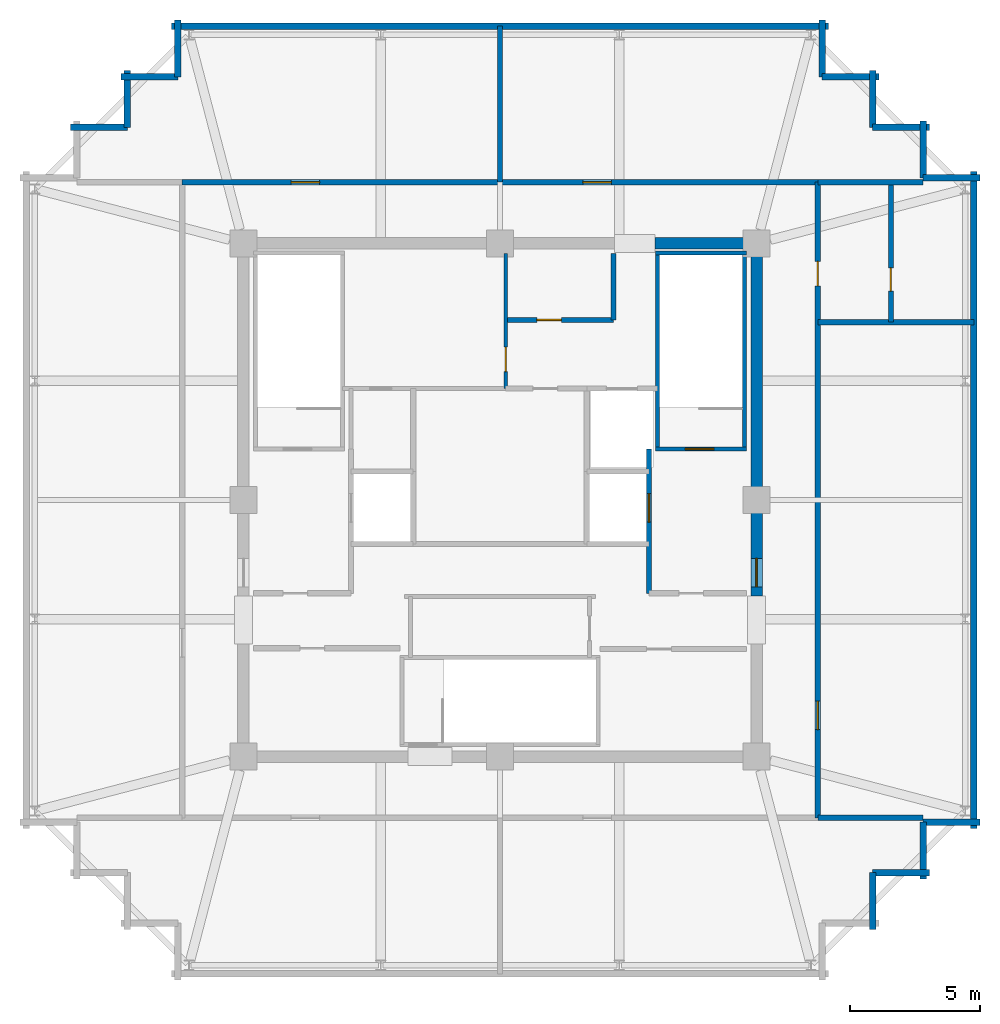
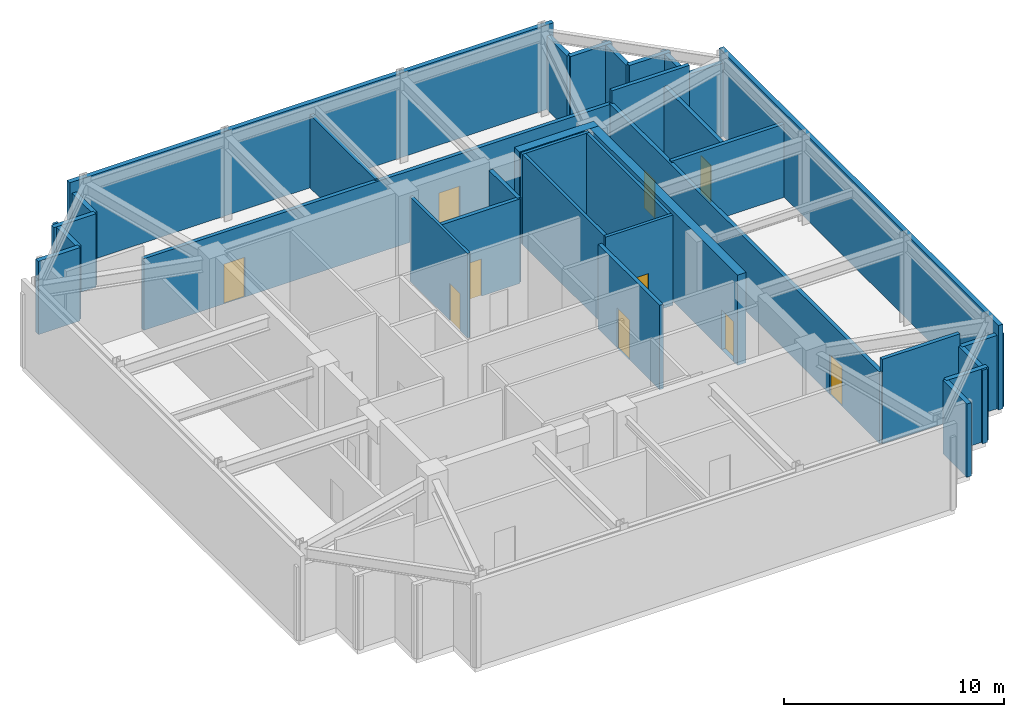
# One storey, part 3 of 4: 33 walls, 10 doors, 10 openings.
"""IFC4 building model written with IfcOpenShell, lengths in metres."""

from ifc_helpers import new_model, si_unit, direction, frame, frame_2d, origin, place, context, subcontext, project, spatial, rectangle, extrude, material, layer, layer_set, type_object, element, fill, save


model = new_model("IFC4")

# Units and contexts
model_context = context("Model", 3, precision=1e-05, world=origin(), true_north=direction((0.0, 1.0)))
body_context = subcontext(model_context, "Body", "Model", "MODEL_VIEW")
ifc_project = project(units=[si_unit("LENGTHUNIT", "METRE"), si_unit("AREAUNIT", "SQUARE_METRE"), si_unit("VOLUMEUNIT", "CUBIC_METRE"), si_unit("PLANEANGLEUNIT", "RADIAN"), si_unit("MASSUNIT", "GRAM", prefix="KILO")], contexts=[model_context])

# Site, building, storey
site_placement = place(None, origin())
site = spatial("IfcSite", under=ifc_project, at=site_placement, CompositionType="ELEMENT")
building_placement = place(site_placement, origin())
building = spatial("IfcBuilding", under=site, at=building_placement, Name="Kolvaren Belvedere", CompositionType="ELEMENT")
storey_placement = place(building_placement, frame((0.0, 0.0, 282.39990234375)))
storey = spatial("IfcBuildingStorey", under=building, at=storey_placement, Name="L80", CompositionType="ELEMENT", Elevation=282.39990234375)

# Wall
ifc_material_1 = material(Name="Concrete C50/60", Category="concrete")
ifc_layer_1 = layer(ifc_material_1, 0.449951171875)
ifc_layer_set_1 = layer_set([ifc_layer_1], Name="Concrete C50/60")
wall_type_1 = type_object("IfcWallType", Name="CW-CORE-450", PredefinedType="SHEAR", material=ifc_layer_set_1)
wall_1_placement = place(storey_placement, frame((5.97998046875, 9.89990234375, 0.0), z_axis=(0.0, 0.0, 1.0), x_axis=(1.0, 0.0, 0.0)))
element("IfcWall", 1, at=wall_1_placement, inside=storey, type_object=wall_type_1, Name="L80 North Core Shear Wall 2", PredefinedType="SHEAR", context=body_context, shape_type="SweptSolid", body=[
    extrude(rectangle(XDim=4.14501953125, YDim=0.449951171875, at=frame_2d((2.072509765625, 0.0))), origin(), (0.0, 0.0, 1.0), 5.0),
])

# Wall, opening, door
wall_2_placement = place(storey_placement, frame((9.89990234375, -3.699951171875, 0.0), z_axis=(0.0, 0.0, 1.0), x_axis=(0.0, 1.0, 0.0)))
wall_2 = element("IfcWall", 2, at=wall_2_placement, inside=storey, type_object=wall_type_1, Name="L80 East Core Shear Wall 2", PredefinedType="SHEAR", context=body_context, shape_type="SweptSolid", body=[
    extrude(rectangle(XDim=13.375, YDim=0.449951171875, at=frame_2d((6.6875, 0.0))), origin(), (0.0, 0.0, 1.0), 5.0),
])
opening_1_placement = place(wall_2_placement, frame((0.35009765625, 0.0, 0.0)))
opening_1 = element("IfcOpeningElement", 3, at=opening_1_placement, cuts=wall_2, Name="Opening D-FD90", PredefinedType="OPENING", context=body_context, shape_type="SweptSolid", body=[
    extrude(rectangle(XDim=1.10009765625, YDim=2.199951171875, at=frame_2d((0.550048828125, 1.10009765625))), frame((0.0, 0.23486328125, 0.0), z_axis=(0.0, -1.0, 0.0), x_axis=(1.0, 0.0, 0.0)), (0.0, 0.0, 1.0), 0.469970703125),
])
ifc_material_2 = material(Name="Painted hollow stainless steel", Category="steel")
door_type_1 = type_object("IfcDoorType", Name="DR-FD90-1100", OperationType="NOTDEFINED", PredefinedType="DOOR", material=ifc_material_2)
door_1_placement = place(opening_1_placement, origin())
door_1 = element("IfcDoor", 4, at=door_1_placement, inside=storey, type_object=door_type_1, Name="L80 East Firefighting Lobby Fire Door", OperationType="SINGLE_SWING_RIGHT", OverallHeight=2.199951171875, OverallWidth=1.10009765625, PredefinedType="DOOR", context=body_context, shape_type="SweptSolid", body=[
    extrude(rectangle(XDim=1.10009765625, YDim=2.199951171875, at=frame_2d((0.550048828125, 1.10009765625))), frame((0.0, 0.02490234375, 0.0), z_axis=(0.0, -1.0, 0.0), x_axis=(1.0, 0.0, 0.0)), (0.0, 0.0, 1.0), 0.050048828125),
])
fill(opening_1, door_1)

ifc_material_3 = material(Name="Concrete C50/60", Category="concrete")
ifc_layer_2 = layer(ifc_material_3, 0.159912109375)
ifc_layer_set_2 = layer_set([ifc_layer_2], Name="Concrete C50/60")
wall_type_2 = type_object("IfcWallType", Name="CW-STAIR-160", PredefinedType="SHEAR", material=ifc_layer_set_2)
wall_3_placement = place(storey_placement, frame((6.0, 1.969970703125, 0.0), z_axis=(0.0, 0.0, 1.0), x_axis=(1.0, 0.0, 0.0)))
wall_3 = element("IfcWall", 5, at=wall_3_placement, inside=storey, type_object=wall_type_2, Name="L80 Stair ST-2 South Shear Wall", PredefinedType="SHEAR", context=body_context, shape_type="SweptSolid", body=[
    extrude(rectangle(XDim=3.52001953125, YDim=0.159912109375, at=frame_2d((1.760009765625, 0.0))), origin(), (0.0, 0.0, 1.0), 5.0),
])
opening_2_placement = place(wall_3_placement, frame((1.14990234375, 0.0, 0.0)))
opening_2 = element("IfcOpeningElement", 6, at=opening_2_placement, cuts=wall_3, Name="Opening D-FD90", PredefinedType="OPENING", context=body_context, shape_type="SweptSolid", body=[
    extrude(rectangle(XDim=1.10009765625, YDim=2.199951171875, at=frame_2d((0.550048828125, 1.10009765625))), frame((0.0, 0.08984375, 0.0), z_axis=(0.0, -1.0, 0.0), x_axis=(1.0, 0.0, 0.0)), (0.0, 0.0, 1.0), 0.179931640625),
])
door_2_placement = place(opening_2_placement, origin())
door_2 = element("IfcDoor", 7, at=door_2_placement, inside=storey, type_object=door_type_1, Name="L80 Stair ST-2 Fire Door", OperationType="SINGLE_SWING_RIGHT", OverallHeight=2.199951171875, OverallWidth=1.10009765625, PredefinedType="DOOR", context=body_context, shape_type="SweptSolid", body=[
    extrude(rectangle(XDim=1.10009765625, YDim=2.199951171875, at=frame_2d((0.550048828125, 1.10009765625))), frame((0.0, 0.02490234375, 0.0), z_axis=(0.0, -1.0, 0.0), x_axis=(1.0, 0.0, 0.0)), (0.0, 0.0, 1.0), 0.050048828125),
])
fill(opening_2, door_2)

# Walls
wall_4_placement = place(storey_placement, frame((6.0, 9.530029296875, 0.0), z_axis=(0.0, 0.0, 1.0), x_axis=(1.0, 0.0, 0.0)))
element("IfcWall", 8, at=wall_4_placement, inside=storey, type_object=wall_type_2, Name="L80 Stair ST-2 North Shear Wall", PredefinedType="SHEAR", context=body_context, shape_type="SweptSolid", body=[
    extrude(rectangle(XDim=3.52001953125, YDim=0.159912109375, at=frame_2d((1.760009765625, 0.0))), origin(), (0.0, 0.0, 1.0), 5.0),
])
for number, where, z_axis, x_axis, name in (
    (9, (6.080078125, 1.969970703125, 0.0), (0.0, 0.0, 1.0), (0.0, 1.0, 0.0), "L80 Stair ST-2 West Shear Wall"),
    (10, (9.429931640625, 1.969970703125, 0.0), (0.0, 0.0, 1.0), (0.0, 1.0, 0.0), "L80 Stair ST-2 East Shear Wall"),
):
    element("IfcWall", number, at=place(storey_placement, frame(where, z_axis=z_axis, x_axis=x_axis)), inside=storey, type_object=wall_type_2, Name=name, PredefinedType="SHEAR", context=body_context, shape_type="SweptSolid", body=[
        extrude(rectangle(XDim=7.56005859375, YDim=0.159912109375, at=frame_2d((3.780029296875, 0.0))), origin(), (0.0, 0.0, 1.0), 5.0),
    ])
ifc_material_4 = material(Name="Insulated acoustic pale-metal louvre wall", Category="aluminium")
ifc_layer_3 = layer(ifc_material_4, 0.239990234375)
ifc_layer_set_3 = layer_set([ifc_layer_3], Name="Insulated acoustic pale-metal louvre wall")
wall_type_3 = type_object("IfcWallType", Name="WL-LOUV-240", PredefinedType="STANDARD", material=ifc_layer_set_3)
for number, where, z_axis, x_axis, name in (
    (11, (14.3798828125, -14.3798828125, 0.0), (0.0, 0.0, 1.0), (0.0, -1.0, 0.0), "L80 Acoustic Louvre Facade Wall 4"),
    (12, (16.570068359375, -14.3798828125, 0.0), (0.0, 0.0, 1.0), (-1.0, 0.0, 0.0), "L80 Acoustic Louvre Facade Wall 5"),
    (13, (16.330078125, -12.429931640625, 0.0), (0.0, 0.0, 1.0), (0.0, -1.0, 0.0), "L80 Acoustic Louvre Facade Wall 6"),
):
    element("IfcWall", number, at=place(storey_placement, frame(where, z_axis=z_axis, x_axis=x_axis)), inside=storey, type_object=wall_type_3, Name=name, PredefinedType="STANDARD", context=body_context, shape_type="SweptSolid", body=[
        extrude(rectangle(XDim=2.190185546875, YDim=0.239990234375, at=frame_2d((1.09521484375, 0.0))), origin(), (0.0, 0.0, 1.0), 4.06298828125),
    ])
wall_5_placement = place(storey_placement, frame((18.52001953125, -12.429931640625, 0.0), z_axis=(0.0, 0.0, 1.0), x_axis=(-1.0, 0.0, 0.0)))
element("IfcWall", 14, at=wall_5_placement, inside=storey, type_object=wall_type_3, Name="L80 Acoustic Louvre Facade Wall 7", PredefinedType="STANDARD", context=body_context, shape_type="SweptSolid", body=[
    extrude(rectangle(XDim=2.18994140625, YDim=0.239990234375, at=frame_2d((1.094970703125, 0.0))), origin(), (0.0, 0.0, 1.0), 4.06298828125),
])
wall_6_placement = place(storey_placement, frame((18.280029296875, 12.669921875, 0.0), z_axis=(0.0, 0.0, 1.0), x_axis=(0.0, -1.0, 0.0)))
element("IfcWall", 15, at=wall_6_placement, inside=storey, type_object=wall_type_3, Name="L80 Acoustic Louvre Facade Wall 8", PredefinedType="STANDARD", context=body_context, shape_type="SweptSolid", body=[
    extrude(rectangle(XDim=25.33984375, YDim=0.239990234375, at=frame_2d((12.669921875, 0.0))), origin(), (0.0, 0.0, 1.0), 4.68017578125),
])
wall_7_placement = place(storey_placement, frame((16.330078125, 12.429931640625, 0.0), z_axis=(0.0, 0.0, 1.0), x_axis=(1.0, 0.0, 0.0)))
element("IfcWall", 16, at=wall_7_placement, inside=storey, type_object=wall_type_3, Name="L80 Acoustic Louvre Facade Wall 9", PredefinedType="STANDARD", context=body_context, shape_type="SweptSolid", body=[
    extrude(rectangle(XDim=2.18994140625, YDim=0.239990234375, at=frame_2d((1.094970703125, 0.0))), origin(), (0.0, 0.0, 1.0), 4.06298828125),
])
for number, where, z_axis, x_axis, name in (
    (17, (16.330078125, 14.6201171875, 0.0), (0.0, 0.0, 1.0), (0.0, -1.0, 0.0), "L80 Acoustic Louvre Facade Wall 10"),
    (18, (14.3798828125, 14.3798828125, 0.0), (0.0, 0.0, 1.0), (1.0, 0.0, 0.0), "L80 Acoustic Louvre Facade Wall 11"),
    (19, (14.3798828125, 16.570068359375, 0.0), (0.0, 0.0, 1.0), (0.0, -1.0, 0.0), "L80 Acoustic Louvre Facade Wall 12"),
    (20, (12.429931640625, 16.330078125, 0.0), (0.0, 0.0, 1.0), (1.0, 0.0, 0.0), "L80 Acoustic Louvre Facade Wall 13"),
):
    element("IfcWall", number, at=place(storey_placement, frame(where, z_axis=z_axis, x_axis=x_axis)), inside=storey, type_object=wall_type_3, Name=name, PredefinedType="STANDARD", context=body_context, shape_type="SweptSolid", body=[
        extrude(rectangle(XDim=2.190185546875, YDim=0.239990234375, at=frame_2d((1.09521484375, 0.0))), origin(), (0.0, 0.0, 1.0), 4.06298828125),
    ])
wall_8_placement = place(storey_placement, frame((12.429931640625, 18.52001953125, 0.0), z_axis=(0.0, 0.0, 1.0), x_axis=(0.0, -1.0, 0.0)))
element("IfcWall", 21, at=wall_8_placement, inside=storey, type_object=wall_type_3, Name="L80 Acoustic Louvre Facade Wall 14", PredefinedType="STANDARD", context=body_context, shape_type="SweptSolid", body=[
    extrude(rectangle(XDim=2.18994140625, YDim=0.239990234375, at=frame_2d((1.094970703125, 0.0))), origin(), (0.0, 0.0, 1.0), 4.06298828125),
])
wall_9_placement = place(storey_placement, frame((-12.669921875, 18.280029296875, 0.0), z_axis=(0.0, 0.0, 1.0), x_axis=(1.0, 0.0, 0.0)))
element("IfcWall", 22, at=wall_9_placement, inside=storey, type_object=wall_type_3, Name="L80 Acoustic Louvre Facade Wall 15", PredefinedType="STANDARD", context=body_context, shape_type="SweptSolid", body=[
    extrude(rectangle(XDim=25.33984375, YDim=0.239990234375, at=frame_2d((12.669921875, 0.0))), origin(), (0.0, 0.0, 1.0), 4.68017578125),
])
wall_10_placement = place(storey_placement, frame((-12.429931640625, 16.330078125, 0.0), z_axis=(0.0, 0.0, 1.0), x_axis=(0.0, 1.0, 0.0)))
element("IfcWall", 23, at=wall_10_placement, inside=storey, type_object=wall_type_3, Name="L80 Acoustic Louvre Facade Wall 16", PredefinedType="STANDARD", context=body_context, shape_type="SweptSolid", body=[
    extrude(rectangle(XDim=2.18994140625, YDim=0.239990234375, at=frame_2d((1.094970703125, 0.0))), origin(), (0.0, 0.0, 1.0), 4.06298828125),
])
for number, where, z_axis, x_axis, name in (
    (24, (-14.6201171875, 16.330078125, 0.0), (0.0, 0.0, 1.0), (1.0, 0.0, 0.0), "L80 Acoustic Louvre Facade Wall 17"),
    (25, (-14.3798828125, 14.3798828125, 0.0), (0.0, 0.0, 1.0), (0.0, 1.0, 0.0), "L80 Acoustic Louvre Facade Wall 18"),
    (26, (-16.570068359375, 14.3798828125, 0.0), (0.0, 0.0, 1.0), (1.0, 0.0, 0.0), "L80 Acoustic Louvre Facade Wall 19"),
):
    element("IfcWall", number, at=place(storey_placement, frame(where, z_axis=z_axis, x_axis=x_axis)), inside=storey, type_object=wall_type_3, Name=name, PredefinedType="STANDARD", context=body_context, shape_type="SweptSolid", body=[
        extrude(rectangle(XDim=2.190185546875, YDim=0.239990234375, at=frame_2d((1.09521484375, 0.0))), origin(), (0.0, 0.0, 1.0), 4.06298828125),
    ])

# Wall, opening, door
ifc_material_5 = material(Name="Gypsum acoustic partition assembly", Category="gypsum")
ifc_layer_4 = layer(ifc_material_5, 0.14990234375)
ifc_layer_set_4 = layer_set([ifc_layer_4], Name="Gypsum acoustic partition assembly")
wall_type_4 = type_object("IfcWallType", Name="WL-PART-150", PredefinedType="PARTITIONING", material=ifc_layer_set_4)
wall_11_placement = place(storey_placement, frame((0.219970703125, 4.300048828125, 0.0), z_axis=(0.0, 0.0, 1.0), x_axis=(0.0, 1.0, 0.0)))
wall_11 = element("IfcWall", 27, at=wall_11_placement, inside=storey, type_object=wall_type_4, Name="L80 Reclaimed Salon East Wall", PredefinedType="PARTITIONING", context=body_context, shape_type="SweptSolid", body=[
    extrude(rectangle(XDim=5.219970703125, YDim=0.14990234375, at=frame_2d((2.60986328125, 0.0))), origin(), (0.0, 0.0, 1.0), 4.68017578125),
])
opening_3_placement = place(wall_11_placement, frame((0.64990234375, 0.0, 0.0)))
opening_3 = element("IfcOpeningElement", 28, at=opening_3_placement, cuts=wall_11, Name="Opening D-INT95", PredefinedType="OPENING", context=body_context, shape_type="SweptSolid", body=[
    extrude(rectangle(XDim=0.949951171875, YDim=2.06005859375, at=frame_2d((0.47509765625, 1.030029296875))), frame((0.0, 0.0849609375, 0.0), z_axis=(0.0, -1.0, 0.0), x_axis=(1.0, 0.0, 0.0)), (0.0, 0.0, 1.0), 0.169921875),
])
ifc_material_6 = material(Name="Stained Pacific white oak", Category="timber")
door_type_2 = type_object("IfcDoorType", Name="DR-INT-950", OperationType="NOTDEFINED", PredefinedType="DOOR", material=ifc_material_6)
door_3_placement = place(opening_3_placement, origin())
door_3 = element("IfcDoor", 29, at=door_3_placement, inside=storey, type_object=door_type_2, Name="L80 Telemetry & Controls Mechanical Plant Door", OperationType="SINGLE_SWING_LEFT", OverallHeight=2.06005859375, OverallWidth=0.949951171875, PredefinedType="DOOR", context=body_context, shape_type="SweptSolid", body=[
    extrude(rectangle(XDim=0.949951171875, YDim=2.06005859375, at=frame_2d((0.47509765625, 1.030029296875))), frame((0.0, 0.02490234375, 0.0), z_axis=(0.0, -1.0, 0.0), x_axis=(1.0, 0.0, 0.0)), (0.0, 0.0, 1.0), 0.050048828125),
])
fill(opening_3, door_3)

ifc_material_7 = material(Name="Concrete C50/60", Category="concrete")
ifc_layer_5 = layer(ifc_material_7, 0.199951171875)
ifc_layer_set_5 = layer_set([ifc_layer_5], Name="Concrete C50/60")
wall_type_5 = type_object("IfcWallType", Name="WL-SHAFT-200", PredefinedType="SOLIDWALL", material=ifc_layer_set_5)
wall_12_placement = place(storey_placement, frame((5.75, -3.60009765625, 0.0), z_axis=(0.0, 0.0, 1.0), x_axis=(0.0, 1.0, 0.0)))
wall_12 = element("IfcWall", 30, at=wall_12_placement, inside=storey, type_object=wall_type_5, Name="L80 FSAE FS2 Landing Wall", PredefinedType="SOLIDWALL", context=body_context, shape_type="SweptSolid", body=[
    extrude(rectangle(XDim=5.570068359375, YDim=0.199951171875, at=frame_2d((2.78515625, 0.0))), origin(), (0.0, 0.0, 1.0), 4.68017578125),
])
opening_4_placement = place(wall_12_placement, frame((2.75, 0.0, 0.0)))
opening_4 = element("IfcOpeningElement", 31, at=opening_4_placement, cuts=wall_12, Name="Opening LD-11", PredefinedType="OPENING", context=body_context, shape_type="SweptSolid", body=[
    extrude(rectangle(XDim=1.10009765625, YDim=2.199951171875, at=frame_2d((0.550048828125, 1.10009765625))), frame((0.0, 0.10986328125, 0.0), z_axis=(0.0, -1.0, 0.0), x_axis=(1.0, 0.0, 0.0)), (0.0, 0.0, 1.0), 0.219970703125),
])
ifc_material_8 = material(Name="Brushed stainless steel", Category="steel")
door_type_3 = type_object("IfcDoorType", Name="DR-LIFT-1100", OperationType="DOUBLE_DOOR_SLIDING", PredefinedType="DOOR", material=ifc_material_8)
door_4_placement = place(opening_4_placement, origin())
door_4 = element("IfcDoor", 32, at=door_4_placement, inside=storey, type_object=door_type_3, Name="L80 Firefighting Lift FS2 Landing Door", OperationType="DOUBLE_DOOR_SLIDING", OverallHeight=2.199951171875, OverallWidth=1.10009765625, PredefinedType="DOOR", context=body_context, shape_type="SweptSolid", body=[
    extrude(rectangle(XDim=1.10009765625, YDim=2.199951171875, at=frame_2d((0.550048828125, 1.10009765625))), frame((0.0, 0.02490234375, 0.0), z_axis=(0.0, -1.0, 0.0), x_axis=(1.0, 0.0, 0.0)), (0.0, 0.0, 1.0), 0.050048828125),
])
fill(opening_4, door_4)

wall_13_placement = place(storey_placement, frame((0.219970703125, 6.949951171875, 0.0), z_axis=(0.0, 0.0, 1.0), x_axis=(1.0, 0.0, 0.0)))
wall_13 = element("IfcWall", 33, at=wall_13_placement, inside=storey, type_object=wall_type_5, Name="L80 Shuttle Control Wall", PredefinedType="SOLIDWALL", context=body_context, shape_type="SweptSolid", body=[
    extrude(rectangle(XDim=4.159912109375, YDim=0.199951171875, at=frame_2d((2.080078125, 0.0))), origin(), (0.0, 0.0, 1.0), 4.68017578125),
])
opening_5_placement = place(wall_13_placement, frame((1.199951171875, 0.0, 0.0)))
opening_5 = element("IfcOpeningElement", 34, at=opening_5_placement, cuts=wall_13, Name="Opening D-FD60", PredefinedType="OPENING", context=body_context, shape_type="SweptSolid", body=[
    extrude(rectangle(XDim=0.949951171875, YDim=2.06005859375, at=frame_2d((0.47509765625, 1.030029296875))), frame((0.0, 0.10986328125, 0.0), z_axis=(0.0, -1.0, 0.0), x_axis=(1.0, 0.0, 0.0)), (0.0, 0.0, 1.0), 0.219970703125),
])
ifc_material_9 = material(Name="Acoustic white-oak fire door leaf", Category="timber")
door_type_4 = type_object("IfcDoorType", Name="DR-FD60-950", OperationType="NOTDEFINED", PredefinedType="DOOR", material=ifc_material_9)
door_5_placement = place(opening_5_placement, origin())
door_5 = element("IfcDoor", 35, at=door_5_placement, inside=storey, type_object=door_type_4, Name="L80 Shuttle Control Door", OperationType="SINGLE_SWING_LEFT", OverallHeight=2.06005859375, OverallWidth=0.949951171875, PredefinedType="DOOR", context=body_context, shape_type="SweptSolid", body=[
    extrude(rectangle(XDim=0.949951171875, YDim=2.06005859375, at=frame_2d((0.47509765625, 1.030029296875))), frame((0.0, 0.02490234375, 0.0), z_axis=(0.0, -1.0, 0.0), x_axis=(1.0, 0.0, 0.0)), (0.0, 0.0, 1.0), 0.050048828125),
])
fill(opening_5, door_5)

# Wall
wall_14_placement = place(storey_placement, frame((4.3798828125, 6.949951171875, 0.0), z_axis=(0.0, 0.0, 1.0), x_axis=(0.0, 1.0, 0.0)))
element("IfcWall", 36, at=wall_14_placement, inside=storey, type_object=wall_type_5, Name="L80 Shuttle Control East Wall", PredefinedType="SOLIDWALL", context=body_context, shape_type="SweptSolid", body=[
    extrude(rectangle(XDim=2.570068359375, YDim=0.199951171875, at=frame_2d((1.28515625, 0.0))), origin(), (0.0, 0.0, 1.0), 4.68017578125),
])

# Wall, openings, doors
wall_15_placement = place(storey_placement, frame((-12.260009765625, 12.260009765625, 0.0), z_axis=(0.0, 0.0, 1.0), x_axis=(1.0, 0.0, 0.0)))
wall_15 = element("IfcWall", 37, at=wall_15_placement, inside=storey, type_object=wall_type_5, Name="L80 North Corridor Wall", PredefinedType="SOLIDWALL", context=body_context, shape_type="SweptSolid", body=[
    extrude(rectangle(XDim=24.52001953125, YDim=0.199951171875, at=frame_2d((12.260009765625, 0.0))), origin(), (0.0, 0.0, 1.0), 3.968994140625),
])
opening_6_placement = place(wall_15_placement, frame((4.199951171875, 0.0, 0.0)))
opening_6 = element("IfcOpeningElement", 38, at=opening_6_placement, cuts=wall_15, Name="Opening D-FD90", PredefinedType="OPENING", context=body_context, shape_type="SweptSolid", body=[
    extrude(rectangle(XDim=1.10009765625, YDim=2.199951171875, at=frame_2d((0.550048828125, 1.10009765625))), frame((0.0, 0.10986328125, 0.0), z_axis=(0.0, -1.0, 0.0), x_axis=(1.0, 0.0, 0.0)), (0.0, 0.0, 1.0), 0.219970703125),
])
opening_7_placement = place(wall_15_placement, frame((15.4599609375, 0.0, 0.0)))
opening_7 = element("IfcOpeningElement", 39, at=opening_7_placement, cuts=wall_15, Name="Opening D-FD90", PredefinedType="OPENING", context=body_context, shape_type="SweptSolid", body=[
    extrude(rectangle(XDim=1.10009765625, YDim=2.199951171875, at=frame_2d((0.550048828125, 1.10009765625))), frame((0.0, 0.10986328125, 0.0), z_axis=(0.0, -1.0, 0.0), x_axis=(1.0, 0.0, 0.0)), (0.0, 0.0, 1.0), 0.219970703125),
])
door_6_placement = place(opening_6_placement, origin())
door_6 = element("IfcDoor", 40, at=door_6_placement, inside=storey, type_object=door_type_1, Name="L80 Roof Maintenance Harness Mechanical Plant Door", OperationType="SINGLE_SWING_RIGHT", OverallHeight=2.199951171875, OverallWidth=1.10009765625, PredefinedType="DOOR", context=body_context, shape_type="SweptSolid", body=[
    extrude(rectangle(XDim=1.10009765625, YDim=2.199951171875, at=frame_2d((0.550048828125, 1.10009765625))), frame((0.0, 0.02490234375, 0.0), z_axis=(0.0, -1.0, 0.0), x_axis=(1.0, 0.0, 0.0)), (0.0, 0.0, 1.0), 0.050048828125),
])
fill(opening_6, door_6)
door_7_placement = place(opening_7_placement, origin())
door_7 = element("IfcDoor", 41, at=door_7_placement, inside=storey, type_object=door_type_1, Name="L80 Auxiliary Controls Mechanical Plant Door", OperationType="SINGLE_SWING_LEFT", OverallHeight=2.199951171875, OverallWidth=1.10009765625, PredefinedType="DOOR", context=body_context, shape_type="SweptSolid", body=[
    extrude(rectangle(XDim=1.10009765625, YDim=2.199951171875, at=frame_2d((0.550048828125, 1.10009765625))), frame((0.0, 0.02490234375, 0.0), z_axis=(0.0, -1.0, 0.0), x_axis=(1.0, 0.0, 0.0)), (0.0, 0.0, 1.0), 0.050048828125),
])
fill(opening_7, door_7)

wall_16_placement = place(storey_placement, frame((12.260009765625, -12.260009765625, 0.0), z_axis=(0.0, 0.0, 1.0), x_axis=(0.0, 1.0, 0.0)))
wall_16 = element("IfcWall", 42, at=wall_16_placement, inside=storey, type_object=wall_type_5, Name="L80 East Corridor Wall", PredefinedType="SOLIDWALL", context=body_context, shape_type="SweptSolid", body=[
    extrude(rectangle(XDim=24.52001953125, YDim=0.199951171875, at=frame_2d((12.260009765625, 0.0))), origin(), (0.0, 0.0, 1.0), 3.968994140625),
])
opening_8_placement = place(wall_16_placement, frame((3.39990234375, 0.0, 0.0)))
opening_8 = element("IfcOpeningElement", 43, at=opening_8_placement, cuts=wall_16, Name="Opening D-FD90", PredefinedType="OPENING", context=body_context, shape_type="SweptSolid", body=[
    extrude(rectangle(XDim=1.10009765625, YDim=2.199951171875, at=frame_2d((0.550048828125, 1.10009765625))), frame((0.0, 0.10986328125, 0.0), z_axis=(0.0, -1.0, 0.0), x_axis=(1.0, 0.0, 0.0)), (0.0, 0.0, 1.0), 0.219970703125),
])
opening_9_placement = place(wall_16_placement, frame((20.52001953125, 0.0, 0.0)))
opening_9 = element("IfcOpeningElement", 44, at=opening_9_placement, cuts=wall_16, Name="Opening D-INT95", PredefinedType="OPENING", context=body_context, shape_type="SweptSolid", body=[
    extrude(rectangle(XDim=0.949951171875, YDim=2.06005859375, at=frame_2d((0.47509765625, 1.030029296875))), frame((0.0, 0.10986328125, 0.0), z_axis=(0.0, -1.0, 0.0), x_axis=(1.0, 0.0, 0.0)), (0.0, 0.0, 1.0), 0.219970703125),
])
door_8_placement = place(opening_8_placement, origin())
door_8 = element("IfcDoor", 45, at=door_8_placement, inside=storey, type_object=door_type_1, Name="L80 Solar-Thermal Rainwater Mechanical Plant Door", OperationType="SINGLE_SWING_RIGHT", OverallHeight=2.199951171875, OverallWidth=1.10009765625, PredefinedType="DOOR", context=body_context, shape_type="SweptSolid", body=[
    extrude(rectangle(XDim=1.10009765625, YDim=2.199951171875, at=frame_2d((0.550048828125, 1.10009765625))), frame((0.0, 0.02490234375, 0.0), z_axis=(0.0, -1.0, 0.0), x_axis=(1.0, 0.0, 0.0)), (0.0, 0.0, 1.0), 0.050048828125),
])
fill(opening_8, door_8)
door_9_placement = place(opening_9_placement, origin())
door_9 = element("IfcDoor", 46, at=door_9_placement, inside=storey, type_object=door_type_2, Name="L80 Staff Accessible Washroom Door", OperationType="SINGLE_SWING_LEFT", OverallHeight=2.06005859375, OverallWidth=0.949951171875, PredefinedType="DOOR", context=body_context, shape_type="SweptSolid", body=[
    extrude(rectangle(XDim=0.949951171875, YDim=2.06005859375, at=frame_2d((0.47509765625, 1.030029296875))), frame((0.0, 0.02490234375, 0.0), z_axis=(0.0, -1.0, 0.0), x_axis=(1.0, 0.0, 0.0)), (0.0, 0.0, 1.0), 0.050048828125),
])
fill(opening_9, door_9)

# Walls
for number, where, z_axis, x_axis, name in (
    (47, (12.260009765625, -12.260009765625, 0.0), (0.0, 0.0, 1.0), (1.0, 0.0, 0.0), "L80 Sector Wall PW-L80-QSE"),
    (48, (12.260009765625, 12.260009765625, 0.0), (0.0, 0.0, 1.0), (1.0, 0.0, 0.0), "L80 Sector Wall PW-L80-QNE"),
):
    element("IfcWall", number, at=place(storey_placement, frame(where, z_axis=z_axis, x_axis=x_axis)), inside=storey, type_object=wall_type_5, Name=name, PredefinedType="SOLIDWALL", context=body_context, shape_type="SweptSolid", body=[
        extrude(rectangle(XDim=4.06005859375, YDim=0.199951171875, at=frame_2d((2.030029296875, 0.0))), origin(), (0.0, 0.0, 1.0), 4.68017578125),
    ])
wall_17_placement = place(storey_placement, frame((12.260009765625, 6.860107421875, 0.0), z_axis=(0.0, 0.0, 1.0), x_axis=(1.0, 0.0, 0.0)))
element("IfcWall", 49, at=wall_17_placement, inside=storey, type_object=wall_type_5, Name="L80 East Plant WC Wall", PredefinedType="SOLIDWALL", context=body_context, shape_type="SweptSolid", body=[
    extrude(rectangle(XDim=6.02001953125, YDim=0.199951171875, at=frame_2d((3.010009765625, 0.0))), origin(), (0.0, 0.0, 1.0), 4.052978515625),
])

# Wall, opening, door
wall_18_placement = place(storey_placement, frame((15.080078125, 6.860107421875, 0.0), z_axis=(0.0, 0.0, 1.0), x_axis=(0.0, 1.0, 0.0)))
wall_18 = element("IfcWall", 50, at=wall_18_placement, inside=storey, type_object=wall_type_5, Name="L80 Staff WC Back Wall", PredefinedType="SOLIDWALL", context=body_context, shape_type="SweptSolid", body=[
    extrude(rectangle(XDim=5.39990234375, YDim=0.199951171875, at=frame_2d((2.699951171875, 0.0))), origin(), (0.0, 0.0, 1.0), 3.968994140625),
])
opening_10_placement = place(wall_18_placement, frame((1.199951171875, 0.0, 0.0)))
opening_10 = element("IfcOpeningElement", 51, at=opening_10_placement, cuts=wall_18, Name="Opening D-INT90", PredefinedType="OPENING", context=body_context, shape_type="SweptSolid", body=[
    extrude(rectangle(XDim=0.89990234375, YDim=2.06005859375, at=frame_2d((0.449951171875, 1.030029296875))), frame((0.0, 0.10986328125, 0.0), z_axis=(0.0, -1.0, 0.0), x_axis=(1.0, 0.0, 0.0)), (0.0, 0.0, 1.0), 0.219970703125),
])
ifc_material_10 = material(Name="Stained Pacific white oak", Category="timber")
door_type_5 = type_object("IfcDoorType", Name="DR-INT-900", OperationType="NOTDEFINED", PredefinedType="DOOR", material=ifc_material_10)
door_10_placement = place(opening_10_placement, origin())
door_10 = element("IfcDoor", 52, at=door_10_placement, inside=storey, type_object=door_type_5, Name="L80 Chilled-Water Expansion Mechanical Plant Door", OperationType="SINGLE_SWING_RIGHT", OverallHeight=2.06005859375, OverallWidth=0.89990234375, PredefinedType="DOOR", context=body_context, shape_type="SweptSolid", body=[
    extrude(rectangle(XDim=0.89990234375, YDim=2.06005859375, at=frame_2d((0.449951171875, 1.030029296875))), frame((0.0, 0.02490234375, 0.0), z_axis=(0.0, -1.0, 0.0), x_axis=(1.0, 0.0, 0.0)), (0.0, 0.0, 1.0), 0.050048828125),
])
fill(opening_10, door_10)

# Wall
wall_19_placement = place(storey_placement, frame((0.0, 12.260009765625, 0.0), z_axis=(0.0, 0.0, 1.0), x_axis=(0.0, 1.0, 0.0)))
element("IfcWall", 53, at=wall_19_placement, inside=storey, type_object=wall_type_5, Name="L80 North Plant Divider", PredefinedType="SOLIDWALL", context=body_context, shape_type="SweptSolid", body=[
    extrude(rectangle(XDim=6.02001953125, YDim=0.199951171875, at=frame_2d((3.010009765625, 0.0))), origin(), (0.0, 0.0, 1.0), 4.052978515625),
])

save(model, "model.ifc")
